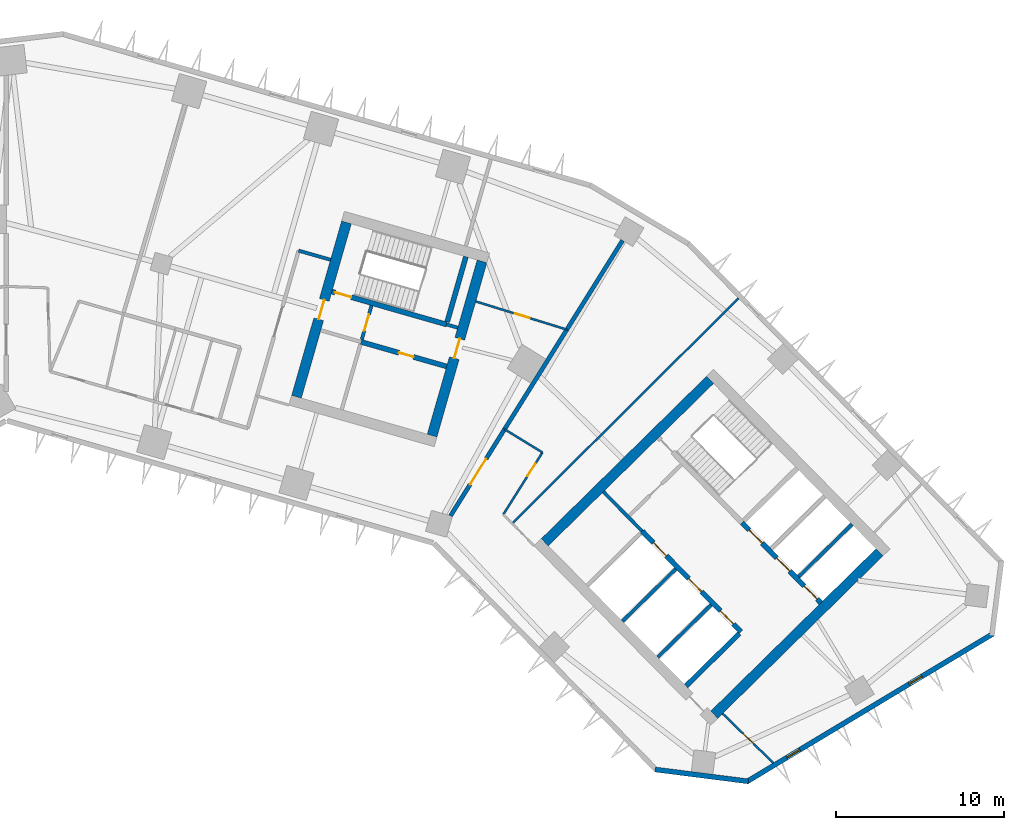
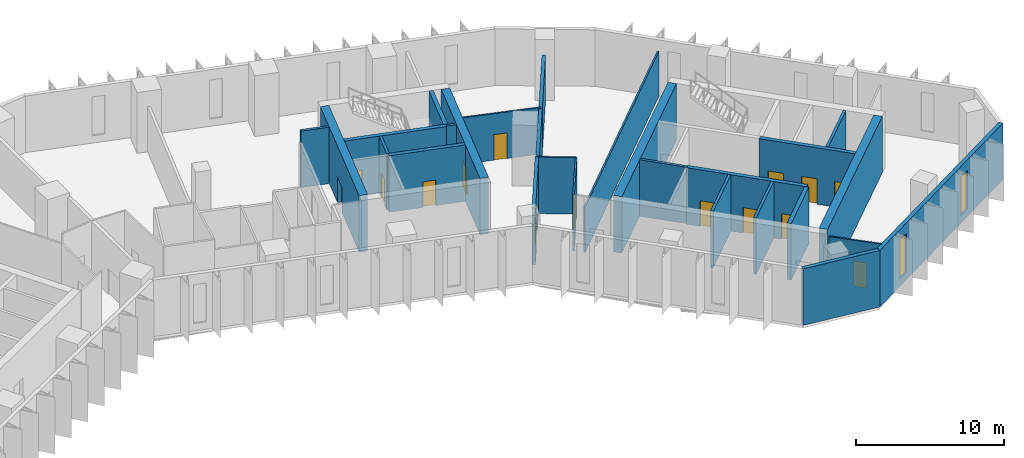
# One storey, part 6 of 11: 27 walls, 15 doors, 2 windows, 17 openings.
"""IFC4 building model written with IfcOpenShell, lengths in metres."""

from ifc_helpers import new_model, si_unit, direction, frame, frame_2d, origin, place, context, subcontext, project, spatial, rectangle, extrude, material, layer, layer_set, type_object, element, fill, save


model = new_model("IFC4")

# Units and contexts
model_context = context("Model", 3, precision=1e-05, world=origin(), true_north=direction((0.0, 1.0)))
body_context = subcontext(model_context, "Body", "Model", "MODEL_VIEW")
ifc_project = project(units=[si_unit("LENGTHUNIT", "METRE"), si_unit("AREAUNIT", "SQUARE_METRE"), si_unit("VOLUMEUNIT", "CUBIC_METRE"), si_unit("PLANEANGLEUNIT", "RADIAN"), si_unit("MASSUNIT", "GRAM", prefix="KILO")], contexts=[model_context])

# Site, building, storey
site_placement = place(None, origin())
site = spatial("IfcSite", under=ifc_project, at=site_placement, CompositionType="ELEMENT")
building_placement = place(site_placement, origin())
building = spatial("IfcBuilding", under=site, at=building_placement, Name="Binnacle Exchange Tower", CompositionType="ELEMENT")
storey_placement = place(building_placement, frame((0.0, 0.0, 86.5)))
storey = spatial("IfcBuildingStorey", under=building, at=storey_placement, Name="L17", CompositionType="ELEMENT", Elevation=86.5)

# Wall, openings, doors
ifc_material_1 = material(Name="Concrete C70/85", Category="concrete")
ifc_layer_1 = layer(ifc_material_1, 0.300048828125)
ifc_layer_set_1 = layer_set([ifc_layer_1], Name="Core wall - front 300")
wall_type_1 = type_object("IfcWallType", Name="Core wall - front 300", PredefinedType="SOLIDWALL", material=ifc_layer_set_1)
wall_1_placement = place(storey_placement, frame((37.8740234375, 41.41552734375, 0.0), z_axis=(0.0, 0.0, 1.0), x_axis=(0.700918271237, -0.71324159795, 0.0)))
wall_1 = element("IfcWall", 1, at=wall_1_placement, inside=storey, type_object=wall_type_1, Name="Core wall CRWB3", PredefinedType="SOLIDWALL", context=body_context, shape_type="SweptSolid", body=[
    extrude(rectangle(XDim=8.39990234375, YDim=0.300048828125, at=frame_2d((4.199951171875, 0.0))), origin(), (0.0, 0.0, 1.0), 4.64990234375),
])
opening_1_placement = place(wall_1_placement, frame((0.949951171875, 0.0, 0.0)))
opening_1 = element("IfcOpeningElement", 2, at=opening_1_placement, cuts=wall_1, Name="Opening LD15", PredefinedType="OPENING", context=body_context, shape_type="SweptSolid", body=[
    extrude(rectangle(XDim=1.10009765625, YDim=2.10009765625, at=frame_2d((0.550048828125, 1.050048828125))), frame((0.0, 0.159912109375, 0.0), z_axis=(0.0, -1.0, 0.0), x_axis=(1.0, 0.0, 0.0)), (0.0, 0.0, 1.0), 0.320068359375),
])
opening_2_placement = place(wall_1_placement, frame((3.949951171875, 0.0, 0.0)))
opening_2 = element("IfcOpeningElement", 3, at=opening_2_placement, cuts=wall_1, Name="Opening LD16", PredefinedType="OPENING", context=body_context, shape_type="SweptSolid", body=[
    extrude(rectangle(XDim=1.10009765625, YDim=2.10009765625, at=frame_2d((0.550048828125, 1.050048828125))), frame((0.0, 0.159912109375, 0.0), z_axis=(0.0, -1.0, 0.0), x_axis=(1.0, 0.0, 0.0)), (0.0, 0.0, 1.0), 0.320068359375),
])
opening_3_placement = place(wall_1_placement, frame((6.64990234375, 0.0, 0.0)))
opening_3 = element("IfcOpeningElement", 4, at=opening_3_placement, cuts=wall_1, Name="Opening LD4", PredefinedType="OPENING", context=body_context, shape_type="SweptSolid", body=[
    extrude(rectangle(XDim=1.10009765625, YDim=2.10009765625, at=frame_2d((0.550048828125, 1.050048828125))), frame((0.0, 0.159912109375, 0.0), z_axis=(0.0, -1.0, 0.0), x_axis=(1.0, 0.0, 0.0)), (0.0, 0.0, 1.0), 0.320068359375),
])
ifc_material_2 = material(Name="Steel door leaf", Category="steel")
door_type_1 = type_object("IfcDoorType", Name="Fire door - lift landing 1100", OperationType="NOTDEFINED", PredefinedType="DOOR", material=ifc_material_2)
door_1_placement = place(opening_1_placement, origin())
door_1 = element("IfcDoor", 5, at=door_1_placement, inside=storey, type_object=door_type_1, Name="Landing door LD15 L17", OperationType="DOUBLE_DOOR_SLIDING", OverallHeight=2.10009765625, OverallWidth=1.10009765625, PredefinedType="DOOR", context=body_context, shape_type="SweptSolid", body=[
    extrude(rectangle(XDim=1.10009765625, YDim=2.10009765625, at=frame_2d((0.550048828125, 1.050048828125))), frame((0.0, 0.02490234375, 0.0), z_axis=(0.0, -1.0, 0.0), x_axis=(1.0, 0.0, 0.0)), (0.0, 0.0, 1.0), 0.050048828125),
])
fill(opening_1, door_1)
door_2_placement = place(opening_2_placement, origin())
door_2 = element("IfcDoor", 6, at=door_2_placement, inside=storey, type_object=door_type_1, Name="Landing door LD16 L17", OperationType="DOUBLE_DOOR_SLIDING", OverallHeight=2.10009765625, OverallWidth=1.10009765625, PredefinedType="DOOR", context=body_context, shape_type="SweptSolid", body=[
    extrude(rectangle(XDim=1.10009765625, YDim=2.10009765625, at=frame_2d((0.550048828125, 1.050048828125))), frame((0.0, 0.02490234375, 0.0), z_axis=(0.0, -1.0, 0.0), x_axis=(1.0, 0.0, 0.0)), (0.0, 0.0, 1.0), 0.050048828125),
])
fill(opening_2, door_2)
door_3_placement = place(opening_3_placement, origin())
door_3 = element("IfcDoor", 7, at=door_3_placement, inside=storey, type_object=door_type_1, Name="Landing door LD4 L17", OperationType="DOUBLE_DOOR_SLIDING", OverallHeight=2.10009765625, OverallWidth=1.10009765625, PredefinedType="DOOR", context=body_context, shape_type="SweptSolid", body=[
    extrude(rectangle(XDim=1.10009765625, YDim=2.10009765625, at=frame_2d((0.550048828125, 1.050048828125))), frame((0.0, 0.02490234375, 0.0), z_axis=(0.0, -1.0, 0.0), x_axis=(1.0, 0.0, 0.0)), (0.0, 0.0, 1.0), 0.050048828125),
])
fill(opening_3, door_3)

wall_2_placement = place(storey_placement, frame((43.818603515625, 41.92919921875, 0.0), z_axis=(0.0, 0.0, 1.0), x_axis=(0.700921619155, -0.713238307862, 0.0)))
wall_2 = element("IfcWall", 8, at=wall_2_placement, inside=storey, type_object=wall_type_1, Name="Core wall CRWB5", PredefinedType="SOLIDWALL", context=body_context, shape_type="SweptSolid", body=[
    extrude(rectangle(XDim=6.69970703125, YDim=0.300048828125, at=frame_2d((3.349853515625, 0.0))), origin(), (0.0, 0.0, 1.0), 4.64990234375),
])
opening_4_placement = place(wall_2_placement, frame((0.614990234375, 0.0, 0.0)))
opening_4 = element("IfcOpeningElement", 9, at=opening_4_placement, cuts=wall_2, Name="Opening LD1", PredefinedType="OPENING", context=body_context, shape_type="SweptSolid", body=[
    extrude(rectangle(XDim=1.10009765625, YDim=2.10009765625, at=frame_2d((0.550048828125, 1.050048828125))), frame((0.0, 0.159912109375, 0.0), z_axis=(0.0, -1.0, 0.0), x_axis=(1.0, 0.0, 0.0)), (0.0, 0.0, 1.0), 0.320068359375),
])
opening_5_placement = place(wall_2_placement, frame((2.945068359375, 0.0, 0.0)))
opening_5 = element("IfcOpeningElement", 10, at=opening_5_placement, cuts=wall_2, Name="Opening LD2", PredefinedType="OPENING", context=body_context, shape_type="SweptSolid", body=[
    extrude(rectangle(XDim=1.10009765625, YDim=2.10009765625, at=frame_2d((0.550048828125, 1.050048828125))), frame((0.0, 0.159912109375, 0.0), z_axis=(0.0, -1.0, 0.0), x_axis=(1.0, 0.0, 0.0)), (0.0, 0.0, 1.0), 0.320068359375),
])
opening_6_placement = place(wall_2_placement, frame((5.280029296875, 0.0, 0.0)))
opening_6 = element("IfcOpeningElement", 11, at=opening_6_placement, cuts=wall_2, Name="Opening LD3", PredefinedType="OPENING", context=body_context, shape_type="SweptSolid", body=[
    extrude(rectangle(XDim=1.10009765625, YDim=2.10009765625, at=frame_2d((0.550048828125, 1.050048828125))), frame((0.0, 0.159912109375, 0.0), z_axis=(0.0, -1.0, 0.0), x_axis=(1.0, 0.0, 0.0)), (0.0, 0.0, 1.0), 0.320068359375),
])
door_4_placement = place(opening_4_placement, origin())
door_4 = element("IfcDoor", 12, at=door_4_placement, inside=storey, type_object=door_type_1, Name="Landing door LD1 L17", OperationType="DOUBLE_DOOR_SLIDING", OverallHeight=2.10009765625, OverallWidth=1.10009765625, PredefinedType="DOOR", context=body_context, shape_type="SweptSolid", body=[
    extrude(rectangle(XDim=1.10009765625, YDim=2.10009765625, at=frame_2d((0.550048828125, 1.050048828125))), frame((0.0, 0.02490234375, 0.0), z_axis=(0.0, -1.0, 0.0), x_axis=(1.0, 0.0, 0.0)), (0.0, 0.0, 1.0), 0.050048828125),
])
fill(opening_4, door_4)
door_5_placement = place(opening_5_placement, origin())
door_5 = element("IfcDoor", 13, at=door_5_placement, inside=storey, type_object=door_type_1, Name="Landing door LD2 L17", OperationType="DOUBLE_DOOR_SLIDING", OverallHeight=2.10009765625, OverallWidth=1.10009765625, PredefinedType="DOOR", context=body_context, shape_type="SweptSolid", body=[
    extrude(rectangle(XDim=1.10009765625, YDim=2.10009765625, at=frame_2d((0.550048828125, 1.050048828125))), frame((0.0, 0.02490234375, 0.0), z_axis=(0.0, -1.0, 0.0), x_axis=(1.0, 0.0, 0.0)), (0.0, 0.0, 1.0), 0.050048828125),
])
fill(opening_5, door_5)
door_6_placement = place(opening_6_placement, origin())
door_6 = element("IfcDoor", 14, at=door_6_placement, inside=storey, type_object=door_type_1, Name="Landing door LD3 L17", OperationType="DOUBLE_DOOR_SLIDING", OverallHeight=2.10009765625, OverallWidth=1.10009765625, PredefinedType="DOOR", context=body_context, shape_type="SweptSolid", body=[
    extrude(rectangle(XDim=1.10009765625, YDim=2.10009765625, at=frame_2d((0.550048828125, 1.050048828125))), frame((0.0, 0.02490234375, 0.0), z_axis=(0.0, -1.0, 0.0), x_axis=(1.0, 0.0, 0.0)), (0.0, 0.0, 1.0), 0.050048828125),
])
fill(opening_6, door_6)

# Wall
wall_3_placement = place(storey_placement, frame((40.480712890625, 32.199951171875, 0.0), z_axis=(0.0, 0.0, 1.0), x_axis=(0.713251741427, 0.700907949271, 0.0)))
element("IfcWall", 15, at=wall_3_placement, inside=storey, type_object=wall_type_1, Name="Core wall CRWB14", PredefinedType="SOLIDWALL", context=body_context, shape_type="SweptSolid", body=[
    extrude(rectangle(XDim=4.4501953125, YDim=0.300048828125, at=frame_2d((2.22509765625, 0.0))), origin(), (0.0, 0.0, 1.0), 4.64990234375),
])

# Wall, opening, door
wall_4_placement = place(storey_placement, frame((21.130859375, 52.6923828125, 0.0), z_axis=(0.0, 0.0, 1.0), x_axis=(0.961271492568, -0.275603188616, 0.0)))
wall_4 = element("IfcWall", 16, at=wall_4_placement, inside=storey, type_object=wall_type_1, Name="Core wall CRWD3", PredefinedType="SOLIDWALL", context=body_context, shape_type="SweptSolid", body=[
    extrude(rectangle(XDim=5.300048828125, YDim=0.300048828125, at=frame_2d((2.64990234375, 0.0))), origin(), (0.0, 0.0, 1.0), 4.64990234375),
])
opening_7_placement = place(wall_4_placement, frame((2.35009765625, 0.0, 0.0)))
opening_7 = element("IfcOpeningElement", 17, at=opening_7_placement, cuts=wall_4, Name="Opening DD10", PredefinedType="OPENING", context=body_context, shape_type="SweptSolid", body=[
    extrude(rectangle(XDim=0.89990234375, YDim=2.10009765625, at=frame_2d((0.449951171875, 1.050048828125))), frame((0.0, 0.159912109375, 0.0), z_axis=(0.0, -1.0, 0.0), x_axis=(1.0, 0.0, 0.0)), (0.0, 0.0, 1.0), 0.320068359375),
])
door_type_2 = type_object("IfcDoorType", Name="Fire door 900", OperationType="NOTDEFINED", PredefinedType="DOOR", material=ifc_material_2)
door_7_placement = place(opening_7_placement, frame((0.89990234375, 0.0, 0.0), z_axis=(0.0, 0.0, 1.0), x_axis=(-1.0, 0.0, 0.0)))
door_7 = element("IfcDoor", 18, at=door_7_placement, inside=storey, type_object=door_type_2, Name="Core room door TELECOM RISER ROOM", OperationType="SINGLE_SWING_LEFT", OverallHeight=2.10009765625, OverallWidth=0.89990234375, PredefinedType="DOOR", context=body_context, shape_type="SweptSolid", body=[
    extrude(rectangle(XDim=0.89990234375, YDim=2.10009765625, at=frame_2d((0.449951171875, 1.050048828125))), frame((0.0, 0.02490234375, 0.0), z_axis=(0.0, -1.0, 0.0), x_axis=(1.0, 0.0, 0.0)), (0.0, 0.0, 1.0), 0.050048828125),
])
fill(opening_7, door_7)

# Walls
ifc_layer_2 = layer(ifc_material_1, 0.60009765625)
ifc_layer_set_2 = layer_set([ifc_layer_2], Name="Core wall - outer 600")
wall_type_2 = type_object("IfcWallType", Name="Core wall - outer 600", PredefinedType="SOLIDWALL", material=ifc_layer_set_2)
for number, where, z_axis, x_axis, name in (
    (19, (32.06982421875, 40.759033203125, 0.0), (0.0, 0.0, 1.0), (0.713245344712, 0.70091445858, 0.0), "Core wall CRWB7"),
    (20, (42.1630859375, 30.48828125, 0.0), (0.0, 0.0, 1.0), (0.713245344712, 0.70091445858, 0.0), "Core wall CRWB16"),
):
    element("IfcWall", number, at=place(storey_placement, frame(where, z_axis=z_axis, x_axis=x_axis)), inside=storey, type_object=wall_type_2, Name=name, PredefinedType="SOLIDWALL", context=body_context, shape_type="SweptSolid", body=[
        extrude(rectangle(XDim=13.800048828125, YDim=0.60009765625, at=frame_2d((6.89990234375, 0.0))), origin(), (0.0, 0.0, 1.0), 4.64990234375),
    ])

# Wall, opening, door
wall_5_placement = place(storey_placement, frame((17.28173828125, 49.427001953125, 0.0), z_axis=(0.0, 0.0, 1.0), x_axis=(0.275631631629, 0.961263337304, 0.0)))
wall_5 = element("IfcWall", 21, at=wall_5_placement, inside=storey, type_object=wall_type_2, Name="Core wall CRWD7", PredefinedType="SOLIDWALL", context=body_context, shape_type="SweptSolid", body=[
    extrude(rectangle(XDim=10.800048828125, YDim=0.60009765625, at=frame_2d((5.39990234375, 0.0))), origin(), (0.0, 0.0, 1.0), 4.64990234375),
])
opening_8_placement = place(wall_5_placement, frame((4.800048828125, 0.0, 0.0)))
opening_8 = element("IfcOpeningElement", 22, at=opening_8_placement, cuts=wall_5, Name="Opening DD5", PredefinedType="OPENING", context=body_context, shape_type="SweptSolid", body=[
    extrude(rectangle(XDim=1.199951171875, YDim=2.10009765625, at=frame_2d((0.60009765625, 1.050048828125))), frame((0.0, 0.31005859375, 0.0), z_axis=(0.0, -1.0, 0.0), x_axis=(1.0, 0.0, 0.0)), (0.0, 0.0, 1.0), 0.6201171875),
])
door_type_3 = type_object("IfcDoorType", Name="Fire door 1200", OperationType="NOTDEFINED", PredefinedType="DOOR", material=ifc_material_2)
door_8_placement = place(opening_8_placement, origin())
door_8 = element("IfcDoor", 23, at=door_8_placement, inside=storey, type_object=door_type_3, Name="Vestibule exit door VEST-W", OperationType="SINGLE_SWING_RIGHT", OverallHeight=2.10009765625, OverallWidth=1.199951171875, PredefinedType="DOOR", context=body_context, shape_type="SweptSolid", body=[
    extrude(rectangle(XDim=1.199951171875, YDim=2.10009765625, at=frame_2d((0.60009765625, 1.050048828125))), frame((0.0, 0.02490234375, 0.0), z_axis=(0.0, -1.0, 0.0), x_axis=(1.0, 0.0, 0.0)), (0.0, 0.0, 1.0), 0.050048828125),
])
fill(opening_8, door_8)

wall_6_placement = place(storey_placement, frame((25.356201171875, 47.111572265625, 0.0), z_axis=(0.0, 0.0, 1.0), x_axis=(0.275631631629, 0.961263337304, 0.0)))
wall_6 = element("IfcWall", 24, at=wall_6_placement, inside=storey, type_object=wall_type_2, Name="Core wall CRWD12", PredefinedType="SOLIDWALL", context=body_context, shape_type="SweptSolid", body=[
    extrude(rectangle(XDim=10.800048828125, YDim=0.60009765625, at=frame_2d((5.39990234375, 0.0))), origin(), (0.0, 0.0, 1.0), 4.64990234375),
])
opening_9_placement = place(wall_6_placement, frame((4.800048828125, 0.0, 0.0)))
opening_9 = element("IfcOpeningElement", 25, at=opening_9_placement, cuts=wall_6, Name="Opening DD6", PredefinedType="OPENING", context=body_context, shape_type="SweptSolid", body=[
    extrude(rectangle(XDim=1.199951171875, YDim=2.10009765625, at=frame_2d((0.60009765625, 1.050048828125))), frame((0.0, 0.31005859375, 0.0), z_axis=(0.0, -1.0, 0.0), x_axis=(1.0, 0.0, 0.0)), (0.0, 0.0, 1.0), 0.6201171875),
])
door_9_placement = place(opening_9_placement, frame((1.199951171875, 0.0, 0.0), z_axis=(0.0, 0.0, 1.0), x_axis=(-1.0, 0.0, 0.0)))
door_9 = element("IfcDoor", 26, at=door_9_placement, inside=storey, type_object=door_type_3, Name="Core passage exit door", OperationType="SINGLE_SWING_LEFT", OverallHeight=2.10009765625, OverallWidth=1.199951171875, PredefinedType="DOOR", context=body_context, shape_type="SweptSolid", body=[
    extrude(rectangle(XDim=1.199951171875, YDim=2.10009765625, at=frame_2d((0.60009765625, 1.050048828125))), frame((0.0, 0.02490234375, 0.0), z_axis=(0.0, -1.0, 0.0), x_axis=(1.0, 0.0, 0.0)), (0.0, 0.0, 1.0), 0.050048828125),
])
fill(opening_9, door_9)

ifc_layer_3 = layer(ifc_material_1, 0.300048828125)
ifc_layer_set_3 = layer_set([ifc_layer_3], Name="Core wall - stair 300")
wall_type_3 = type_object("IfcWallType", Name="Core wall - stair 300", PredefinedType="SOLIDWALL", material=ifc_layer_set_3)
wall_7_placement = place(storey_placement, frame((19.38916015625, 55.688720703125, 0.0), z_axis=(0.0, 0.0, 1.0), x_axis=(0.961261397636, -0.275638396117, 0.0)))
wall_7 = element("IfcWall", 27, at=wall_7_placement, inside=storey, type_object=wall_type_3, Name="Core wall CRWD4", PredefinedType="SOLIDWALL", context=body_context, shape_type="SweptSolid", body=[
    extrude(rectangle(XDim=7.10009765625, YDim=0.300048828125, at=frame_2d((3.550048828125, 0.0))), origin(), (0.0, 0.0, 1.0), 4.64990234375),
])
opening_10_placement = place(wall_7_placement, frame((0.199951171875, 0.0, 0.0)))
opening_10 = element("IfcOpeningElement", 28, at=opening_10_placement, cuts=wall_7, Name="Opening DD1", PredefinedType="OPENING", context=body_context, shape_type="SweptSolid", body=[
    extrude(rectangle(XDim=1.0, YDim=2.10009765625, at=frame_2d((0.5, 1.050048828125))), frame((0.0, 0.159912109375, 0.0), z_axis=(0.0, -1.0, 0.0), x_axis=(1.0, 0.0, 0.0)), (0.0, 0.0, 1.0), 0.320068359375),
])
door_type_4 = type_object("IfcDoorType", Name="Fire door 1000", OperationType="NOTDEFINED", PredefinedType="DOOR", material=ifc_material_2)
door_10_placement = place(opening_10_placement, origin())
door_10 = element("IfcDoor", 29, at=door_10_placement, inside=storey, type_object=door_type_4, Name="Stair door ST-D1", OperationType="SINGLE_SWING_LEFT", OverallHeight=2.10009765625, OverallWidth=1.0, PredefinedType="DOOR", context=body_context, shape_type="SweptSolid", body=[
    extrude(rectangle(XDim=1.0, YDim=2.10009765625, at=frame_2d((0.5, 1.050048828125))), frame((0.0, 0.02490234375, 0.0), z_axis=(0.0, -1.0, 0.0), x_axis=(1.0, 0.0, 0.0)), (0.0, 0.0, 1.0), 0.050048828125),
])
fill(opening_10, door_10)

# Walls
wall_8_placement = place(storey_placement, frame((26.255615234375, 53.875732421875, 0.0), z_axis=(0.0, 0.0, 1.0), x_axis=(0.275612739511, 0.961268754209, 0.0)))
element("IfcWall", 30, at=wall_8_placement, inside=storey, type_object=wall_type_3, Name="Core wall CRWD11", PredefinedType="SOLIDWALL", context=body_context, shape_type="SweptSolid", body=[
    extrude(rectangle(XDim=4.0498046875, YDim=0.300048828125, at=frame_2d((2.02490234375, 0.0))), origin(), (0.0, 0.0, 1.0), 4.64990234375),
])
ifc_material_3 = material(Name="Bronze aluminium cladding", Category="aluminium")
ifc_layer_4 = layer(ifc_material_3, 0.300048828125)
ifc_layer_set_4 = layer_set([ifc_layer_4], Name="External wall - spandrel 300")
wall_type_4 = type_object("IfcWallType", Name="External wall - spandrel 300", PredefinedType="STANDARD", material=ifc_layer_set_4)
wall_9_placement = place(storey_placement, frame((44.19580078125, 26.517822265625, 0.0), z_axis=(0.0, 0.0, 1.0), x_axis=(-0.992001881269, 0.126223086474, 0.0)))
element("IfcWall", 31, at=wall_9_placement, inside=storey, type_object=wall_type_4, Name="External wall EW-F10 L17", PredefinedType="STANDARD", context=body_context, shape_type="SweptSolid", body=[
    extrude(rectangle(XDim=5.6015625, YDim=0.300048828125, at=frame_2d((2.80078125, 0.0))), origin(), (0.0, 0.0, 1.0), 4.64990234375),
])

# Wall, openings, windows
wall_10_placement = place(storey_placement, frame((58.7783203125, 35.317626953125, 0.0), z_axis=(0.0, 0.0, 1.0), x_axis=(-0.857168206138, -0.515036568009, 0.0)))
wall_10 = element("IfcWall", 32, at=wall_10_placement, inside=storey, type_object=wall_type_4, Name="External wall EW-F11 L17", PredefinedType="STANDARD", context=body_context, shape_type="SweptSolid", body=[
    extrude(rectangle(XDim=17.124755859375, YDim=0.300048828125, at=frame_2d((8.5625, 0.0))), origin(), (0.0, 0.0, 1.0), 4.64990234375),
])
opening_11_placement = place(wall_10_placement, frame((13.435302734375, 0.0, 0.60009765625)))
opening_11 = element("IfcOpeningElement", 33, at=opening_11_placement, cuts=wall_10, Name="Opening WS1", PredefinedType="OPENING", context=body_context, shape_type="SweptSolid", body=[
    extrude(rectangle(XDim=0.89990234375, YDim=3.199951171875, at=frame_2d((0.449951171875, 1.60009765625))), frame((0.0, 0.159912109375, 0.0), z_axis=(0.0, -1.0, 0.0), x_axis=(1.0, 0.0, 0.0)), (0.0, 0.0, 1.0), 0.320068359375),
])
opening_12_placement = place(wall_10_placement, frame((4.935302734375, 0.0, 0.60009765625)))
opening_12 = element("IfcOpeningElement", 34, at=opening_12_placement, cuts=wall_10, Name="Opening WS1", PredefinedType="OPENING", context=body_context, shape_type="SweptSolid", body=[
    extrude(rectangle(XDim=0.89990234375, YDim=3.199951171875, at=frame_2d((0.449951171875, 1.60009765625))), frame((0.0, 0.159912109375, 0.0), z_axis=(0.0, -1.0, 0.0), x_axis=(1.0, 0.0, 0.0)), (0.0, 0.0, 1.0), 0.320068359375),
])
ifc_material_4 = material(Name="Bronze anodised aluminium frame", Category="aluminium")
window_type = type_object("IfcWindowType", Name="WS1 WINDOW 900x3200", PartitioningType="SINGLE_PANEL", PredefinedType="WINDOW", material=ifc_material_4)
window_1_placement = place(opening_11_placement, origin())
window_1 = element("IfcWindow", 35, at=window_1_placement, inside=storey, type_object=window_type, Name="Window WS1 L17", OverallHeight=3.199951171875, OverallWidth=0.89990234375, PartitioningType="SINGLE_PANEL", PredefinedType="WINDOW", context=body_context, shape_type="SweptSolid", body=[
    extrude(rectangle(XDim=0.89990234375, YDim=3.199951171875, at=frame_2d((0.449951171875, 1.60009765625))), frame((0.0, 0.030029296875, 0.0), z_axis=(0.0, -1.0, 0.0), x_axis=(1.0, 0.0, 0.0)), (0.0, 0.0, 1.0), 0.06005859375),
])
fill(opening_11, window_1)
window_2_placement = place(opening_12_placement, origin())
window_2 = element("IfcWindow", 36, at=window_2_placement, inside=storey, type_object=window_type, Name="Window WS1 L17", OverallHeight=3.199951171875, OverallWidth=0.89990234375, PartitioningType="SINGLE_PANEL", PredefinedType="WINDOW", context=body_context, shape_type="SweptSolid", body=[
    extrude(rectangle(XDim=0.89990234375, YDim=3.199951171875, at=frame_2d((0.449951171875, 1.60009765625))), frame((0.0, 0.030029296875, 0.0), z_axis=(0.0, -1.0, 0.0), x_axis=(1.0, 0.0, 0.0)), (0.0, 0.0, 1.0), 0.06005859375),
])
fill(opening_12, window_2)

# Wall
ifc_material_5 = material(Name="Masonry block wall", Category="masonry")
ifc_layer_5 = layer(ifc_material_5, 0.199951171875)
ifc_layer_set_5 = layer_set([ifc_layer_5], Name="Fire wall - block 200")
wall_type_5 = type_object("IfcWallType", Name="Fire wall - block 200", PredefinedType="PARTITIONING", material=ifc_layer_set_5)
wall_11_placement = place(storey_placement, frame((17.408935546875, 58.12890625, 0.0), z_axis=(0.0, 0.0, 1.0), x_axis=(0.961253165474, -0.275667103345, 0.0)))
element("IfcWall", 37, at=wall_11_placement, inside=storey, type_object=wall_type_5, Name="Partition W33", PredefinedType="PARTITIONING", context=body_context, shape_type="SweptSolid", body=[
    extrude(rectangle(XDim=1.976806640625, YDim=0.199951171875, at=frame_2d((0.98828125, 0.0))), origin(), (0.0, 0.0, 1.0), 4.64990234375),
])

# Wall, opening, door
ifc_material_6 = material(Name="Concrete fire wall C30/37", Category="concrete")
ifc_layer_6 = layer(ifc_material_6, 0.25)
ifc_layer_set_6 = layer_set([ifc_layer_6], Name="Fire wall - compartment 250")
wall_type_6 = type_object("IfcWallType", Name="Fire wall - compartment 250", PredefinedType="PARTITIONING", material=ifc_layer_set_6)
wall_12_placement = place(storey_placement, frame((26.4560546875, 42.337890625, 0.0), z_axis=(0.0, 0.0, 1.0), x_axis=(0.52980027265, 0.848122438743, 0.0)))
wall_12 = element("IfcWall", 38, at=wall_12_placement, inside=storey, type_object=wall_type_6, Name="Fire Wall W34", PredefinedType="PARTITIONING", context=body_context, shape_type="SweptSolid", body=[
    extrude(rectangle(XDim=6.075927734375, YDim=0.25, at=frame_2d((3.0380859375, 0.0))), origin(), (0.0, 0.0, 1.0), 4.64990234375),
])
opening_13_placement = place(wall_12_placement, frame((2.199951171875, 0.0, 0.0)))
opening_13 = element("IfcOpeningElement", 39, at=opening_13_placement, cuts=wall_12, Name="Opening DL16-16", PredefinedType="OPENING", context=body_context, shape_type="SweptSolid", body=[
    extrude(rectangle(XDim=1.800048828125, YDim=2.10009765625, at=frame_2d((0.89990234375, 1.050048828125))), frame((0.0, 0.135009765625, 0.0), z_axis=(0.0, -1.0, 0.0), x_axis=(1.0, 0.0, 0.0)), (0.0, 0.0, 1.0), 0.27001953125),
])
door_type_5 = type_object("IfcDoorType", Name="Fire door 1800", OperationType="NOTDEFINED", PredefinedType="DOOR", material=ifc_material_2)
door_11_placement = place(opening_13_placement, origin())
door_11 = element("IfcDoor", 40, at=door_11_placement, inside=storey, type_object=door_type_5, Name="Door DL16-16", OperationType="DOUBLE_DOOR_SINGLE_SWING", OverallHeight=2.10009765625, OverallWidth=1.800048828125, PredefinedType="DOOR", context=body_context, shape_type="SweptSolid", body=[
    extrude(rectangle(XDim=1.800048828125, YDim=2.10009765625, at=frame_2d((0.89990234375, 1.050048828125))), frame((0.0, 0.02490234375, 0.0), z_axis=(0.0, -1.0, 0.0), x_axis=(1.0, 0.0, 0.0)), (0.0, 0.0, 1.0), 0.050048828125),
])
fill(opening_13, door_11)

# Walls
wall_13_placement = place(storey_placement, frame((29.675048828125, 47.490966796875, 0.0), z_axis=(0.0, 0.0, 1.0), x_axis=(0.529992669945, 0.848002222759, 0.0)))
element("IfcWall", 41, at=wall_13_placement, inside=storey, type_object=wall_type_6, Name="Fire Wall W40", PredefinedType="PARTITIONING", context=body_context, shape_type="SweptSolid", body=[
    extrude(rectangle(XDim=7.0, YDim=0.25, at=frame_2d((3.5, 0.0))), origin(), (0.0, 0.0, 1.0), 3.72998046875),
])
wall_14_placement = place(storey_placement, frame((33.385009765625, 53.427001953125, 0.0), z_axis=(0.0, 0.0, 1.0), x_axis=(0.529897235032, 0.848061861131, 0.0)))
element("IfcWall", 42, at=wall_14_placement, inside=storey, type_object=wall_type_6, Name="Fire Wall W43", PredefinedType="PARTITIONING", context=body_context, shape_type="SweptSolid", body=[
    extrude(rectangle(XDim=6.257568359375, YDim=0.25, at=frame_2d((3.12890625, 0.0))), origin(), (0.0, 0.0, 1.0), 3.72998046875),
])

# Wall, opening, door
ifc_layer_7 = layer(ifc_material_5, 0.199951171875)
ifc_layer_set_7 = layer_set([ifc_layer_7], Name="Fire wall - vestibule 200")
wall_type_7 = type_object("IfcWallType", Name="Fire wall - vestibule 200", PredefinedType="PARTITIONING", material=ifc_layer_set_7)
wall_15_placement = place(storey_placement, frame((21.172119140625, 52.836669921875, 0.0), z_axis=(0.0, 0.0, 1.0), x_axis=(0.275657676022, 0.961255868981, 0.0)))
wall_15 = element("IfcWall", 43, at=wall_15_placement, inside=storey, type_object=wall_type_7, Name="Core wall CRWD9", PredefinedType="PARTITIONING", context=body_context, shape_type="SweptSolid", body=[
    extrude(rectangle(XDim=2.099853515625, YDim=0.199951171875, at=frame_2d((1.0498046875, 0.0))), origin(), (0.0, 0.0, 1.0), 4.64990234375),
])
opening_14_placement = place(wall_15_placement, frame((0.550048828125, 0.0, 0.0)))
opening_14 = element("IfcOpeningElement", 44, at=opening_14_placement, cuts=wall_15, Name="Opening DD3", PredefinedType="OPENING", context=body_context, shape_type="SweptSolid", body=[
    extrude(rectangle(XDim=1.0, YDim=2.10009765625, at=frame_2d((0.5, 1.050048828125))), frame((0.0, 0.10986328125, 0.0), z_axis=(0.0, -1.0, 0.0), x_axis=(1.0, 0.0, 0.0)), (0.0, 0.0, 1.0), 0.219970703125),
])
door_12_placement = place(opening_14_placement, origin())
door_12 = element("IfcDoor", 45, at=door_12_placement, inside=storey, type_object=door_type_4, Name="Vestibule door VEST-W", OperationType="SINGLE_SWING_RIGHT", OverallHeight=2.10009765625, OverallWidth=1.0, PredefinedType="DOOR", context=body_context, shape_type="SweptSolid", body=[
    extrude(rectangle(XDim=1.0, YDim=2.10009765625, at=frame_2d((0.5, 1.050048828125))), frame((0.0, 0.02490234375, 0.0), z_axis=(0.0, -1.0, 0.0), x_axis=(1.0, 0.0, 0.0)), (0.0, 0.0, 1.0), 0.050048828125),
])
fill(opening_14, door_12)

ifc_material_7 = material(Name="Gypsum partition")
ifc_layer_8 = layer(ifc_material_7, 0.125)
ifc_layer_set_8 = layer_set([ifc_layer_8], Name="Partition 125")
wall_type_8 = type_object("IfcWallType", Name="Partition 125", PredefinedType="PARTITIONING", material=ifc_layer_set_8)
wall_16_placement = place(storey_placement, frame((27.9599609375, 55.10302734375, 0.0), z_axis=(0.0, 0.0, 1.0), x_axis=(0.955442775069, -0.29517639399, 0.0)))
wall_16 = element("IfcWall", 46, at=wall_16_placement, inside=storey, type_object=wall_type_8, Name="Partition W36", PredefinedType="PARTITIONING", context=body_context, shape_type="SweptSolid", body=[
    extrude(rectangle(XDim=5.677978515625, YDim=0.125, at=frame_2d((2.8388671875, 0.0))), origin(), (0.0, 0.0, 1.0), 3.822021484375),
])
opening_15_placement = place(wall_16_placement, frame((2.449951171875, 0.0, 0.0)))
opening_15 = element("IfcOpeningElement", 47, at=opening_15_placement, cuts=wall_16, Name="Opening DL16-11", PredefinedType="OPENING", context=body_context, shape_type="SweptSolid", body=[
    extrude(rectangle(XDim=0.89990234375, YDim=2.10009765625, at=frame_2d((0.449951171875, 1.050048828125))), frame((0.0, 0.072509765625, 0.0), z_axis=(0.0, -1.0, 0.0), x_axis=(1.0, 0.0, 0.0)), (0.0, 0.0, 1.0), 0.14501953125),
])
ifc_material_8 = material(Name="Timber door leaf", Category="wood")
door_type_6 = type_object("IfcDoorType", Name="Door 900", OperationType="NOTDEFINED", PredefinedType="DOOR", material=ifc_material_8)
door_13_placement = place(opening_15_placement, origin())
door_13 = element("IfcDoor", 48, at=door_13_placement, inside=storey, type_object=door_type_6, Name="Door DL16-11", OperationType="SINGLE_SWING_RIGHT", OverallHeight=2.10009765625, OverallWidth=0.89990234375, PredefinedType="DOOR", context=body_context, shape_type="SweptSolid", body=[
    extrude(rectangle(XDim=0.89990234375, YDim=2.10009765625, at=frame_2d((0.449951171875, 1.050048828125))), frame((0.0, 0.02490234375, 0.0), z_axis=(0.0, -1.0, 0.0), x_axis=(1.0, 0.0, 0.0)), (0.0, 0.0, 1.0), 0.050048828125),
])
fill(opening_15, door_13)

wall_17_placement = place(storey_placement, frame((29.60009765625, 42.416015625, 0.0), z_axis=(0.0, 0.0, 1.0), x_axis=(0.533582711531, 0.84574788794, 0.0)))
wall_17 = element("IfcWall", 49, at=wall_17_placement, inside=storey, type_object=wall_type_8, Name="Partition W38", PredefinedType="PARTITIONING", context=body_context, shape_type="SweptSolid", body=[
    extrude(rectangle(XDim=4.366455078125, YDim=0.125, at=frame_2d((2.18310546875, 0.0))), origin(), (0.0, 0.0, 1.0), 4.64990234375),
])
opening_16_placement = place(wall_17_placement, frame((2.699951171875, 0.0, 0.0)))
opening_16 = element("IfcOpeningElement", 50, at=opening_16_placement, cuts=wall_17, Name="Opening DL16-12", PredefinedType="OPENING", context=body_context, shape_type="SweptSolid", body=[
    extrude(rectangle(XDim=0.89990234375, YDim=2.10009765625, at=frame_2d((0.449951171875, 1.050048828125))), frame((0.0, 0.072509765625, 0.0), z_axis=(0.0, -1.0, 0.0), x_axis=(1.0, 0.0, 0.0)), (0.0, 0.0, 1.0), 0.14501953125),
])
door_14_placement = place(opening_16_placement, frame((0.89990234375, 0.0, 0.0), z_axis=(0.0, 0.0, 1.0), x_axis=(-1.0, 0.0, 0.0)))
door_14 = element("IfcDoor", 51, at=door_14_placement, inside=storey, type_object=door_type_6, Name="Door DL16-12", OperationType="SINGLE_SWING_LEFT", OverallHeight=2.10009765625, OverallWidth=0.89990234375, PredefinedType="DOOR", context=body_context, shape_type="SweptSolid", body=[
    extrude(rectangle(XDim=0.89990234375, YDim=2.10009765625, at=frame_2d((0.449951171875, 1.050048828125))), frame((0.0, 0.02490234375, 0.0), z_axis=(0.0, -1.0, 0.0), x_axis=(1.0, 0.0, 0.0)), (0.0, 0.0, 1.0), 0.050048828125),
])
fill(opening_16, door_14)

# Walls
wall_18_placement = place(storey_placement, frame((29.675048828125, 47.490966796875, 0.0), z_axis=(0.0, 0.0, 1.0), x_axis=(0.852591965232, -0.522577210392, 0.0)))
element("IfcWall", 52, at=wall_18_placement, inside=storey, type_object=wall_type_8, Name="Partition W39", PredefinedType="PARTITIONING", context=body_context, shape_type="SweptSolid", body=[
    extrude(rectangle(XDim=2.644775390625, YDim=0.125, at=frame_2d((1.322265625, 0.0))), origin(), (0.0, 0.0, 1.0), 4.64990234375),
])
wall_19_placement = place(storey_placement, frame((30.1259765625, 41.882080078125, 0.0), z_axis=(0.0, 0.0, 1.0), x_axis=(0.709029789155, 0.705178529233, 0.0)))
element("IfcWall", 53, at=wall_19_placement, inside=storey, type_object=wall_type_8, Name="Partition W42", PredefinedType="PARTITIONING", context=body_context, shape_type="SweptSolid", body=[
    extrude(rectangle(XDim=19.017822265625, YDim=0.125, at=frame_2d((9.5087890625, 0.0))), origin(), (0.0, 0.0, 1.0), 3.72998046875),
])

# Wall, opening, door
wall_20_placement = place(storey_placement, frame((42.658935546875, 30.554931640625, 0.0), z_axis=(0.0, 0.0, 1.0), x_axis=(0.716925671772, -0.697149611743, 0.0)))
wall_20 = element("IfcWall", 54, at=wall_20_placement, inside=storey, type_object=wall_type_8, Name="Partition W44", PredefinedType="PARTITIONING", context=body_context, shape_type="SweptSolid", body=[
    extrude(rectangle(XDim=4.209716796875, YDim=0.125, at=frame_2d((2.10498046875, 0.0))), origin(), (0.0, 0.0, 1.0), 3.830078125),
])
opening_17_placement = place(wall_20_placement, frame((1.699951171875, 0.0, 0.0)))
opening_17 = element("IfcOpeningElement", 55, at=opening_17_placement, cuts=wall_20, Name="Opening DL16-14", PredefinedType="OPENING", context=body_context, shape_type="SweptSolid", body=[
    extrude(rectangle(XDim=0.89990234375, YDim=2.10009765625, at=frame_2d((0.449951171875, 1.050048828125))), frame((0.0, 0.072509765625, 0.0), z_axis=(0.0, -1.0, 0.0), x_axis=(1.0, 0.0, 0.0)), (0.0, 0.0, 1.0), 0.14501953125),
])
door_15_placement = place(opening_17_placement, origin())
door_15 = element("IfcDoor", 56, at=door_15_placement, inside=storey, type_object=door_type_6, Name="Door DL16-14", OperationType="SINGLE_SWING_RIGHT", OverallHeight=2.10009765625, OverallWidth=0.89990234375, PredefinedType="DOOR", context=body_context, shape_type="SweptSolid", body=[
    extrude(rectangle(XDim=0.89990234375, YDim=2.10009765625, at=frame_2d((0.449951171875, 1.050048828125))), frame((0.0, 0.02490234375, 0.0), z_axis=(0.0, -1.0, 0.0), x_axis=(1.0, 0.0, 0.0)), (0.0, 0.0, 1.0), 0.050048828125),
])
fill(opening_17, door_15)

# Walls
ifc_layer_9 = layer(ifc_material_5, 0.199951171875)
ifc_layer_set_9 = layer_set([ifc_layer_9], Name="Riser wall 200")
wall_type_9 = type_object("IfcWallType", Name="Riser wall 200", PredefinedType="SOLIDWALL", material=ifc_layer_set_9)
wall_21_placement = place(storey_placement, frame((35.56103515625, 43.769287109375, 0.0), z_axis=(0.0, 0.0, 1.0), x_axis=(0.70090232736, -0.713257266, 0.0)))
element("IfcWall", 57, at=wall_21_placement, inside=storey, type_object=wall_type_9, Name="Core wall CRWB2", PredefinedType="SOLIDWALL", context=body_context, shape_type="SweptSolid", body=[
    extrude(rectangle(XDim=3.300048828125, YDim=0.199951171875, at=frame_2d((1.64990234375, 0.0))), origin(), (0.0, 0.0, 1.0), 4.64990234375),
])
wall_22_placement = place(storey_placement, frame((26.214111328125, 53.731689453125, 0.0), z_axis=(0.0, 0.0, 1.0), x_axis=(0.96122076476, -0.27578005982, 0.0)))
element("IfcWall", 58, at=wall_22_placement, inside=storey, type_object=wall_type_9, Name="Core wall CRWD5", PredefinedType="SOLIDWALL", context=body_context, shape_type="SweptSolid", body=[
    extrude(rectangle(XDim=0.7001953125, YDim=0.199951171875, at=frame_2d((0.35009765625, 0.0))), origin(), (0.0, 0.0, 1.0), 4.64990234375),
])
ifc_layer_10 = layer(ifc_material_5, 0.199951171875)
ifc_layer_set_10 = layer_set([ifc_layer_10], Name="Shaft wall 200")
wall_type_10 = type_object("IfcWallType", Name="Shaft wall 200", PredefinedType="SOLIDWALL", material=ifc_layer_set_10)
for number, where, z_axis, x_axis, name in (
    (59, (36.69580078125, 36.051513671875, 0.0), (0.0, 0.0, 1.0), (0.713251741427, 0.700907949271, 0.0), "Core wall CRWB10"),
    (60, (38.798583984375, 33.911865234375, 0.0), (0.0, 0.0, 1.0), (0.713251741427, 0.700907949271, 0.0), "Core wall CRWB12"),
    (61, (47.191650390625, 38.710693359375, 0.0), (0.0, 0.0, 1.0), (0.713251741427, 0.700907949271, 0.0), "Core wall CRWB15"),
):
    element("IfcWall", number, at=place(storey_placement, frame(where, z_axis=z_axis, x_axis=x_axis)), inside=storey, type_object=wall_type_10, Name=name, PredefinedType="SOLIDWALL", context=body_context, shape_type="SweptSolid", body=[
        extrude(rectangle(XDim=4.4501953125, YDim=0.199951171875, at=frame_2d((2.22509765625, 0.0))), origin(), (0.0, 0.0, 1.0), 4.64990234375),
    ])

save(model, "model.ifc")
